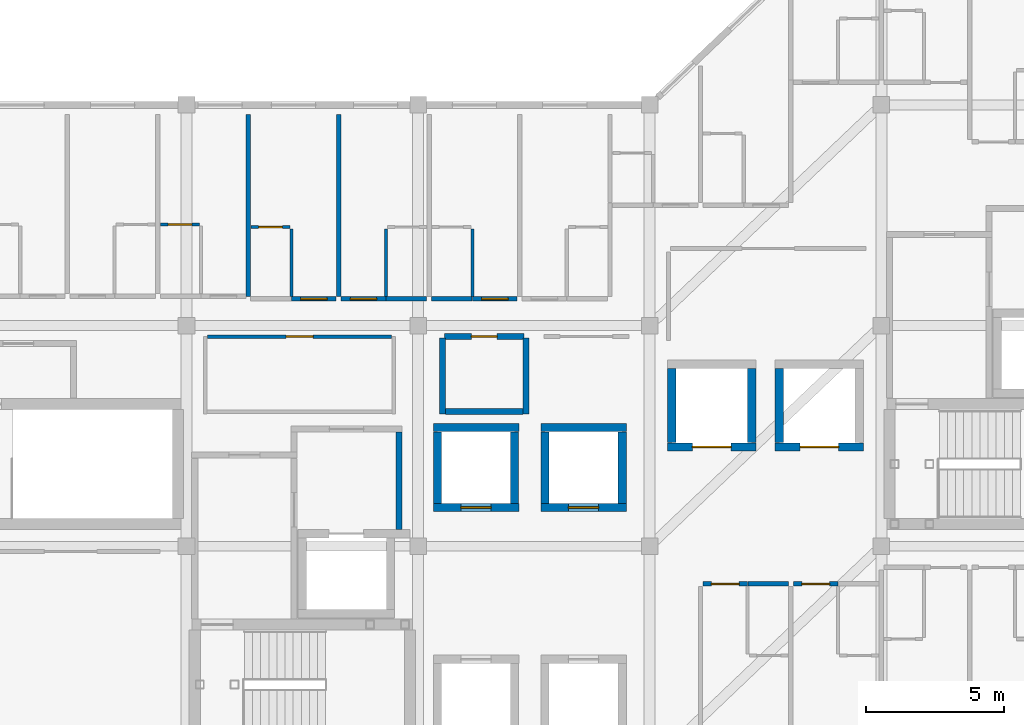
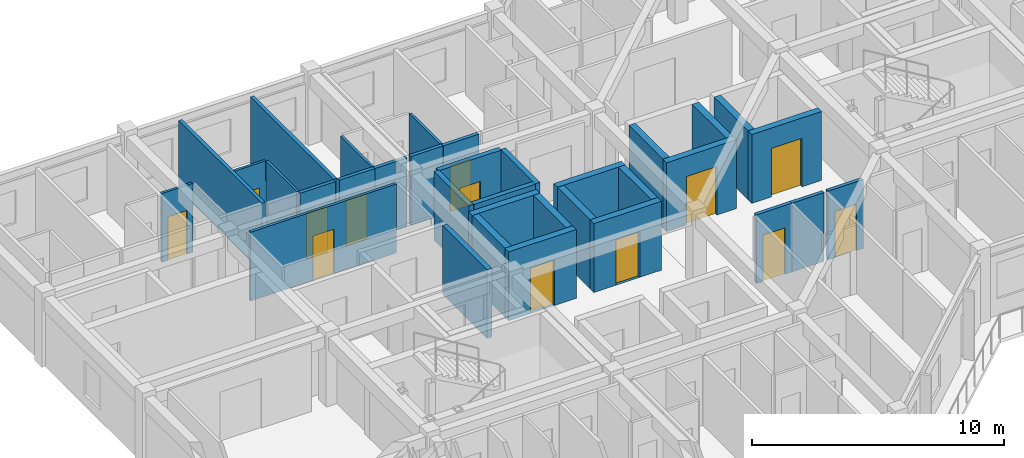
# One storey, part 7 of 14: 34 walls, 13 doors, 13 openings.
"""IFC4 building model written with IfcOpenShell, lengths in metres."""

from ifc_helpers import new_model, si_unit, direction, frame, frame_2d, origin, place, context, subcontext, project, spatial, rectangle, extrude, material, layer, layer_set, type_object, element, fill, save


model = new_model("IFC4")

# Units and contexts
model_context = context("Model", 3, precision=1e-05, world=origin(), true_north=direction((0.0, 1.0)))
body_context = subcontext(model_context, "Body", "Model", "MODEL_VIEW")
ifc_project = project(units=[si_unit("LENGTHUNIT", "METRE"), si_unit("AREAUNIT", "SQUARE_METRE"), si_unit("VOLUMEUNIT", "CUBIC_METRE"), si_unit("PLANEANGLEUNIT", "RADIAN"), si_unit("MASSUNIT", "GRAM", prefix="KILO")], contexts=[model_context])

# Site, building, storey
site_placement = place(None, origin())
site = spatial("IfcSite", under=ifc_project, at=site_placement, CompositionType="ELEMENT")
building_placement = place(site_placement, origin())
building = spatial("IfcBuilding", under=site, at=building_placement, Name="Naruveol Harbour Congress Hotel", CompositionType="ELEMENT")
storey_placement = place(building_placement, frame((0.0, 0.0, 39.60009765625)))
storey = spatial("IfcBuildingStorey", under=building, at=storey_placement, Name="L09", CompositionType="ELEMENT", Elevation=39.60009765625)

# Wall, opening, door
ifc_material_1 = material(Name="Moisture-Resistant Gypsum Partition", Category="gypsum")
ifc_layer_1 = layer(ifc_material_1, 0.114990234375)
ifc_layer_set_1 = layer_set([ifc_layer_1], Name="Moisture-Resistant Gypsum Partition")
wall_type_1 = type_object("IfcWallType", Name="BATHROOM MOISTURE PARTITION WALL 115", PredefinedType="PARTITIONING", material=ifc_layer_set_1)
wall_1_placement = place(storey_placement, frame((125.06005859375, 27.669921875, 0.0), z_axis=(0.0, 0.0, 1.0), x_axis=(1.0, 0.0, 0.0)))
wall_1 = element("IfcWall", 1, at=wall_1_placement, inside=storey, type_object=wall_type_1, Name="Bathroom north wall 1068 PW-115", PredefinedType="PARTITIONING", context=body_context, shape_type="SweptSolid", body=[
    extrude(rectangle(XDim=1.409912109375, YDim=0.114990234375, at=frame_2d((0.705078125, 0.0))), origin(), (0.0, 0.0, 1.0), 3.3349609375),
])
opening_1_placement = place(wall_1_placement, frame((0.27490234375, 0.0, 0.0)))
opening_1 = element("IfcOpeningElement", 2, at=opening_1_placement, cuts=wall_1, Name="Opening BD-RM1068", PredefinedType="OPENING", context=body_context, shape_type="SweptSolid", body=[
    extrude(rectangle(XDim=0.860107421875, YDim=2.1201171875, at=frame_2d((0.43017578125, 1.06005859375))), frame((0.0, 0.0673828125, 0.0), z_axis=(0.0, -1.0, 0.0), x_axis=(1.0, 0.0, 0.0)), (0.0, 0.0, 1.0), 0.135009765625),
])
ifc_material_2 = material(Name="Timber & Steel Acoustic Leaf", Category="steel")
door_type_1 = type_object("IfcDoorType", Name="GUEST BATHROOM DOOR 860X2120", OperationType="NOTDEFINED", PredefinedType="DOOR", material=ifc_material_2)
door_1_placement = place(opening_1_placement, origin())
door_1 = element("IfcDoor", 3, at=door_1_placement, inside=storey, type_object=door_type_1, Name="Bathroom Door 1068", OperationType="SINGLE_SWING_RIGHT", OverallHeight=2.1201171875, OverallWidth=0.860107421875, PredefinedType="DOOR", context=body_context, shape_type="SweptSolid", body=[
    extrude(rectangle(XDim=0.860107421875, YDim=2.1201171875, at=frame_2d((0.43017578125, 1.06005859375))), frame((0.0, 0.02490234375, 0.0), z_axis=(0.0, -1.0, 0.0), x_axis=(1.0, 0.0, 0.0)), (0.0, 0.0, 1.0), 0.050048828125),
])
fill(opening_1, door_1)

# Wall
wall_2_placement = place(storey_placement, frame((129.81005859375, 25.06005859375, 0.0), z_axis=(0.0, 0.0, 1.0), x_axis=(0.0, 1.0, 0.0)))
element("IfcWall", 4, at=wall_2_placement, inside=storey, type_object=wall_type_1, Name="Bathroom east wall 1069 PW-115", PredefinedType="PARTITIONING", context=body_context, shape_type="SweptSolid", body=[
    extrude(rectangle(XDim=2.449951171875, YDim=0.114990234375, at=frame_2d((1.22509765625, 0.0))), origin(), (0.0, 0.0, 1.0), 3.3349609375),
])

# Wall, opening, door
wall_3_placement = place(storey_placement, frame((128.340087890625, 27.570068359375, 0.0), z_axis=(0.0, 0.0, 1.0), x_axis=(1.0, 0.0, 0.0)))
wall_3 = element("IfcWall", 5, at=wall_3_placement, inside=storey, type_object=wall_type_1, Name="Bathroom north wall 1069 PW-115", PredefinedType="PARTITIONING", context=body_context, shape_type="SweptSolid", body=[
    extrude(rectangle(XDim=1.409912109375, YDim=0.114990234375, at=frame_2d((0.705078125, 0.0))), origin(), (0.0, 0.0, 1.0), 3.3349609375),
])
opening_2_placement = place(wall_3_placement, frame((0.27490234375, 0.0, 0.0)))
opening_2 = element("IfcOpeningElement", 6, at=opening_2_placement, cuts=wall_3, Name="Opening BD-RM1069", PredefinedType="OPENING", context=body_context, shape_type="SweptSolid", body=[
    extrude(rectangle(XDim=0.860107421875, YDim=2.1201171875, at=frame_2d((0.43017578125, 1.06005859375))), frame((0.0, 0.0673828125, 0.0), z_axis=(0.0, -1.0, 0.0), x_axis=(1.0, 0.0, 0.0)), (0.0, 0.0, 1.0), 0.135009765625),
])
door_2_placement = place(opening_2_placement, origin())
door_2 = element("IfcDoor", 7, at=door_2_placement, inside=storey, type_object=door_type_1, Name="Bathroom Door 1069", OperationType="SINGLE_SWING_RIGHT", OverallHeight=2.1201171875, OverallWidth=0.860107421875, PredefinedType="DOOR", context=body_context, shape_type="SweptSolid", body=[
    extrude(rectangle(XDim=0.860107421875, YDim=2.1201171875, at=frame_2d((0.43017578125, 1.06005859375))), frame((0.0, 0.02490234375, 0.0), z_axis=(0.0, -1.0, 0.0), x_axis=(1.0, 0.0, 0.0)), (0.0, 0.0, 1.0), 0.050048828125),
])
fill(opening_2, door_2)

# Walls
for number, where, z_axis, x_axis, name in (
    (8, (133.22998046875, 25.06005859375, 0.0), (0.0, 0.0, 1.0), (0.0, 1.0, 0.0), "Bathroom west wall 1070 PW-115"),
    (9, (136.3701171875, 25.06005859375, 0.0), (0.0, 0.0, 1.0), (0.0, 1.0, 0.0), "Bathroom east wall 1071 PW-115"),
):
    element("IfcWall", number, at=place(storey_placement, frame(where, z_axis=z_axis, x_axis=x_axis)), inside=storey, type_object=wall_type_1, Name=name, PredefinedType="PARTITIONING", context=body_context, shape_type="SweptSolid", body=[
        extrude(rectangle(XDim=2.449951171875, YDim=0.114990234375, at=frame_2d((1.22509765625, 0.0))), origin(), (0.0, 0.0, 1.0), 3.3349609375),
    ])
ifc_material_3 = material(Name="Concrete C40/50", Category="concrete")
ifc_layer_2 = layer(ifc_material_3, 0.219970703125)
ifc_layer_set_2 = layer_set([ifc_layer_2], Name="Concrete C40/50")
wall_type_2 = type_object("IfcWallType", Name="FIRE COMPARTMENT AND LOBBY WALL 220 EI120", PredefinedType="PARTITIONING", material=ifc_layer_set_2)
wall_4_placement = place(storey_placement, frame((133.699951171875, 16.60498046875, 0.0), z_axis=(0.0, 0.0, 1.0), x_axis=(0.0, 1.0, 0.0)))
element("IfcWall", 10, at=wall_4_placement, inside=storey, type_object=wall_type_2, Name="Firefighting lift lobby ST1 east wall FW-220", PredefinedType="PARTITIONING", context=body_context, shape_type="SweptSolid", body=[
    extrude(rectangle(XDim=3.530029296875, YDim=0.219970703125, at=frame_2d((1.76513671875, 0.0))), origin(), (0.0, 0.0, 1.0), 3.3349609375),
])

# Wall, opening, door
wall_5_placement = place(storey_placement, frame((135.360107421875, 23.60009765625, 0.0), z_axis=(0.0, 0.0, 1.0), x_axis=(1.0, 0.0, 0.0)))
wall_5 = element("IfcWall", 11, at=wall_5_placement, inside=storey, type_object=wall_type_2, Name="Housekeeping Pantry north entry wall FW-220", PredefinedType="PARTITIONING", context=body_context, shape_type="SweptSolid", body=[
    extrude(rectangle(XDim=2.8798828125, YDim=0.219970703125, at=frame_2d((1.43994140625, 0.0))), origin(), (0.0, 0.0, 1.0), 3.3349609375),
])
opening_3_placement = place(wall_5_placement, frame((0.969970703125, 0.0, 0.0)))
opening_3 = element("IfcOpeningElement", 12, at=opening_3_placement, cuts=wall_5, Name="Opening FD-ST-130", PredefinedType="OPENING", context=body_context, shape_type="SweptSolid", body=[
    extrude(rectangle(XDim=0.93994140625, YDim=2.14990234375, at=frame_2d((0.469970703125, 1.074951171875))), frame((0.0, 0.119873046875, 0.0), z_axis=(0.0, -1.0, 0.0), x_axis=(1.0, 0.0, 0.0)), (0.0, 0.0, 1.0), 0.239990234375),
])
ifc_material_4 = material(Name="Timber & Steel Acoustic Leaf", Category="steel")
door_type_2 = type_object("IfcDoorType", Name="HOUSEKEEPING AND STORE FIRE DOOR 940X2150", OperationType="NOTDEFINED", PredefinedType="DOOR", material=ifc_material_4)
door_3_placement = place(opening_3_placement, origin())
door_3 = element("IfcDoor", 13, at=door_3_placement, inside=storey, type_object=door_type_2, Name="Housekeeping Pantry Fire Door", OperationType="SINGLE_SWING_RIGHT", OverallHeight=2.14990234375, OverallWidth=0.93994140625, PredefinedType="DOOR", context=body_context, shape_type="SweptSolid", body=[
    extrude(rectangle(XDim=0.93994140625, YDim=2.14990234375, at=frame_2d((0.469970703125, 1.074951171875))), frame((0.0, 0.02490234375, 0.0), z_axis=(0.0, -1.0, 0.0), x_axis=(1.0, 0.0, 0.0)), (0.0, 0.0, 1.0), 0.050048828125),
])
fill(opening_3, door_3)

# Walls
for number, where, z_axis, x_axis, name in (
    (14, (135.280029296875, 20.800048828125, 0.0), (0.0, 0.0, 1.0), (0.0, 1.0, 0.0), "Housekeeping Pantry west enclosure partition FW-220"),
    (15, (138.320068359375, 20.800048828125, 0.0), (0.0, 0.0, 1.0), (0.0, 1.0, 0.0), "Housekeeping Pantry east enclosure partition FW-220"),
):
    element("IfcWall", number, at=place(storey_placement, frame(where, z_axis=z_axis, x_axis=x_axis)), inside=storey, type_object=wall_type_2, Name=name, PredefinedType="PARTITIONING", context=body_context, shape_type="SweptSolid", body=[
        extrude(rectangle(XDim=2.748046875, YDim=0.219970703125, at=frame_2d((1.3740234375, 0.0))), origin(), (0.0, 0.0, 1.0), 3.3349609375),
    ])
wall_6_placement = place(storey_placement, frame((135.389892578125, 20.8798828125, 0.0), z_axis=(0.0, 0.0, 1.0), x_axis=(1.0, 0.0, 0.0)))
element("IfcWall", 16, at=wall_6_placement, inside=storey, type_object=wall_type_2, Name="Housekeeping Pantry south enclosure partition FW-220", PredefinedType="PARTITIONING", context=body_context, shape_type="SweptSolid", body=[
    extrude(rectangle(XDim=2.820068359375, YDim=0.219970703125, at=frame_2d((1.41015625, 0.0))), origin(), (0.0, 0.0, 1.0), 3.3349609375),
])

# Wall, opening, door
ifc_material_5 = material(Name="Autoclaved Aerated Concrete Block", Category="concrete")
ifc_layer_3 = layer(ifc_material_5, 0.159912109375)
ifc_layer_set_3 = layer_set([ifc_layer_3], Name="Autoclaved Aerated Concrete Block")
wall_type_3 = type_object("IfcWallType", Name="HOTEL PARTY AND CORRIDOR WALL 160 EI60", PredefinedType="PARTITIONING", material=ifc_layer_set_3)
wall_7_placement = place(storey_placement, frame((129.81005859375, 24.969970703125, 0.0), z_axis=(0.0, 0.0, 1.0), x_axis=(1.0, 0.0, 0.0)))
wall_7 = element("IfcWall", 17, at=wall_7_placement, inside=storey, type_object=wall_type_3, Name="Corridor entry wall 1069 PW-160", PredefinedType="PARTITIONING", context=body_context, shape_type="SweptSolid", body=[
    extrude(rectangle(XDim=1.619873046875, YDim=0.159912109375, at=frame_2d((0.81005859375, 0.0))), origin(), (0.0, 0.0, 1.0), 3.3349609375),
])
opening_4_placement = place(wall_7_placement, frame((0.330078125, 0.0, 0.0)))
opening_4 = element("IfcOpeningElement", 18, at=opening_4_placement, cuts=wall_7, Name="Opening FD-RM1069", PredefinedType="OPENING", context=body_context, shape_type="SweptSolid", body=[
    extrude(rectangle(XDim=0.9599609375, YDim=2.199951171875, at=frame_2d((0.47998046875, 1.10009765625))), frame((0.0, 0.08984375, 0.0), z_axis=(0.0, -1.0, 0.0), x_axis=(1.0, 0.0, 0.0)), (0.0, 0.0, 1.0), 0.179931640625),
])
ifc_material_6 = material(Name="Timber & Steel Acoustic Leaf", Category="steel")
door_type_3 = type_object("IfcDoorType", Name="GUEST ROOM ENTRANCE FIRE DOOR 960X2200", OperationType="NOTDEFINED", PredefinedType="DOOR", material=ifc_material_6)
door_4_placement = place(opening_4_placement, origin())
door_4 = element("IfcDoor", 19, at=door_4_placement, inside=storey, type_object=door_type_3, Name="Hotel Room Door 1069", OperationType="SINGLE_SWING_LEFT", OverallHeight=2.199951171875, OverallWidth=0.9599609375, PredefinedType="DOOR", context=body_context, shape_type="SweptSolid", body=[
    extrude(rectangle(XDim=0.9599609375, YDim=2.199951171875, at=frame_2d((0.47998046875, 1.10009765625))), frame((0.0, 0.02490234375, 0.0), z_axis=(0.0, -1.0, 0.0), x_axis=(1.0, 0.0, 0.0)), (0.0, 0.0, 1.0), 0.050048828125),
])
fill(opening_4, door_4)

# Wall
wall_8_placement = place(storey_placement, frame((128.239990234375, 25.06005859375, 0.0), z_axis=(0.0, 0.0, 1.0), x_axis=(0.0, 1.0, 0.0)))
element("IfcWall", 20, at=wall_8_placement, inside=storey, type_object=wall_type_3, Name="Hotel party wall 1069 PW-160", PredefinedType="PARTITIONING", context=body_context, shape_type="SweptSolid", body=[
    extrude(rectangle(XDim=6.599853515625, YDim=0.159912109375, at=frame_2d((3.2998046875, 0.0))), origin(), (0.0, 0.0, 1.0), 3.3349609375),
])

# Wall, opening, door
wall_9_placement = place(storey_placement, frame((131.610107421875, 24.969970703125, 0.0), z_axis=(0.0, 0.0, 1.0), x_axis=(1.0, 0.0, 0.0)))
wall_9 = element("IfcWall", 21, at=wall_9_placement, inside=storey, type_object=wall_type_3, Name="Corridor entry wall 1070 PW-160", PredefinedType="PARTITIONING", context=body_context, shape_type="SweptSolid", body=[
    extrude(rectangle(XDim=1.619873046875, YDim=0.159912109375, at=frame_2d((0.81005859375, 0.0))), origin(), (0.0, 0.0, 1.0), 3.3349609375),
])
opening_5_placement = place(wall_9_placement, frame((0.330078125, 0.0, 0.0)))
opening_5 = element("IfcOpeningElement", 22, at=opening_5_placement, cuts=wall_9, Name="Opening FD-RM1070", PredefinedType="OPENING", context=body_context, shape_type="SweptSolid", body=[
    extrude(rectangle(XDim=0.9599609375, YDim=2.199951171875, at=frame_2d((0.47998046875, 1.10009765625))), frame((0.0, 0.08984375, 0.0), z_axis=(0.0, -1.0, 0.0), x_axis=(1.0, 0.0, 0.0)), (0.0, 0.0, 1.0), 0.179931640625),
])
door_5_placement = place(opening_5_placement, origin())
door_5 = element("IfcDoor", 23, at=door_5_placement, inside=storey, type_object=door_type_3, Name="Hotel Room Door 1070", OperationType="SINGLE_SWING_LEFT", OverallHeight=2.199951171875, OverallWidth=0.9599609375, PredefinedType="DOOR", context=body_context, shape_type="SweptSolid", body=[
    extrude(rectangle(XDim=0.9599609375, YDim=2.199951171875, at=frame_2d((0.47998046875, 1.10009765625))), frame((0.0, 0.02490234375, 0.0), z_axis=(0.0, -1.0, 0.0), x_axis=(1.0, 0.0, 0.0)), (0.0, 0.0, 1.0), 0.050048828125),
])
fill(opening_5, door_5)

# Walls
wall_10_placement = place(storey_placement, frame((133.239990234375, 24.969970703125, 0.0), z_axis=(0.0, 0.0, 1.0), x_axis=(1.0, 0.0, 0.0)))
element("IfcWall", 24, at=wall_10_placement, inside=storey, type_object=wall_type_3, Name="Corridor wall 1070B PW-160", PredefinedType="PARTITIONING", context=body_context, shape_type="SweptSolid", body=[
    extrude(rectangle(XDim=1.469970703125, YDim=0.159912109375, at=frame_2d((0.73486328125, 0.0))), origin(), (0.0, 0.0, 1.0), 3.3349609375),
])
wall_11_placement = place(storey_placement, frame((131.52001953125, 25.06005859375, 0.0), z_axis=(0.0, 0.0, 1.0), x_axis=(0.0, 1.0, 0.0)))
element("IfcWall", 25, at=wall_11_placement, inside=storey, type_object=wall_type_3, Name="Hotel party wall 1070 PW-160", PredefinedType="PARTITIONING", context=body_context, shape_type="SweptSolid", body=[
    extrude(rectangle(XDim=6.599853515625, YDim=0.159912109375, at=frame_2d((3.2998046875, 0.0))), origin(), (0.0, 0.0, 1.0), 3.3349609375),
])
wall_12_placement = place(storey_placement, frame((134.889892578125, 24.969970703125, 0.0), z_axis=(0.0, 0.0, 1.0), x_axis=(1.0, 0.0, 0.0)))
element("IfcWall", 26, at=wall_12_placement, inside=storey, type_object=wall_type_3, Name="Corridor wall 1071B PW-160", PredefinedType="PARTITIONING", context=body_context, shape_type="SweptSolid", body=[
    extrude(rectangle(XDim=1.47021484375, YDim=0.159912109375, at=frame_2d((0.735107421875, 0.0))), origin(), (0.0, 0.0, 1.0), 3.3349609375),
])

# Wall, opening, door
wall_13_placement = place(storey_placement, frame((136.3701171875, 24.969970703125, 0.0), z_axis=(0.0, 0.0, 1.0), x_axis=(1.0, 0.0, 0.0)))
wall_13 = element("IfcWall", 27, at=wall_13_placement, inside=storey, type_object=wall_type_3, Name="Corridor entry wall 1071 PW-160", PredefinedType="PARTITIONING", context=body_context, shape_type="SweptSolid", body=[
    extrude(rectangle(XDim=1.619873046875, YDim=0.159912109375, at=frame_2d((0.81005859375, 0.0))), origin(), (0.0, 0.0, 1.0), 3.3349609375),
])
opening_6_placement = place(wall_13_placement, frame((0.330078125, 0.0, 0.0)))
opening_6 = element("IfcOpeningElement", 28, at=opening_6_placement, cuts=wall_13, Name="Opening FD-RM1071", PredefinedType="OPENING", context=body_context, shape_type="SweptSolid", body=[
    extrude(rectangle(XDim=0.9599609375, YDim=2.199951171875, at=frame_2d((0.47998046875, 1.10009765625))), frame((0.0, 0.08984375, 0.0), z_axis=(0.0, -1.0, 0.0), x_axis=(1.0, 0.0, 0.0)), (0.0, 0.0, 1.0), 0.179931640625),
])
door_6_placement = place(opening_6_placement, origin())
door_6 = element("IfcDoor", 29, at=door_6_placement, inside=storey, type_object=door_type_3, Name="Hotel Room Door 1071", OperationType="SINGLE_SWING_LEFT", OverallHeight=2.199951171875, OverallWidth=0.9599609375, PredefinedType="DOOR", context=body_context, shape_type="SweptSolid", body=[
    extrude(rectangle(XDim=0.9599609375, YDim=2.199951171875, at=frame_2d((0.47998046875, 1.10009765625))), frame((0.0, 0.02490234375, 0.0), z_axis=(0.0, -1.0, 0.0), x_axis=(1.0, 0.0, 0.0)), (0.0, 0.0, 1.0), 0.050048828125),
])
fill(opening_6, door_6)

wall_14_placement = place(storey_placement, frame((144.72998046875, 14.6298828125, 0.0), z_axis=(0.0, 0.0, 1.0), x_axis=(1.0, 0.0, 0.0)))
wall_14 = element("IfcWall", 30, at=wall_14_placement, inside=storey, type_object=wall_type_3, Name="Corridor entry wall 1059 PW-160", PredefinedType="PARTITIONING", context=body_context, shape_type="SweptSolid", body=[
    extrude(rectangle(XDim=1.6201171875, YDim=0.159912109375, at=frame_2d((0.81005859375, 0.0))), origin(), (0.0, 0.0, 1.0), 3.3349609375),
])
opening_7_placement = place(wall_14_placement, frame((0.31005859375, 0.0, 0.0)))
opening_7 = element("IfcOpeningElement", 31, at=opening_7_placement, cuts=wall_14, Name="Opening FD-RM1059", PredefinedType="OPENING", context=body_context, shape_type="SweptSolid", body=[
    extrude(rectangle(XDim=1.0, YDim=2.25, at=frame_2d((0.5, 1.125))), frame((0.0, 0.08984375, 0.0), z_axis=(0.0, -1.0, 0.0), x_axis=(1.0, 0.0, 0.0)), (0.0, 0.0, 1.0), 0.179931640625),
])
ifc_material_7 = material(Name="Timber & Steel Acoustic Leaf", Category="steel")
door_type_4 = type_object("IfcDoorType", Name="DELUXE GUEST ENTRANCE FIRE DOOR 1000X2250", OperationType="NOTDEFINED", PredefinedType="DOOR", material=ifc_material_7)
door_7_placement = place(opening_7_placement, origin())
door_7 = element("IfcDoor", 32, at=door_7_placement, inside=storey, type_object=door_type_4, Name="Hotel Room Door 1059", OperationType="SINGLE_SWING_LEFT", OverallHeight=2.25, OverallWidth=1.0, PredefinedType="DOOR", context=body_context, shape_type="SweptSolid", body=[
    extrude(rectangle(XDim=1.0, YDim=2.25, at=frame_2d((0.5, 1.125))), frame((0.0, 0.02490234375, 0.0), z_axis=(0.0, -1.0, 0.0), x_axis=(1.0, 0.0, 0.0)), (0.0, 0.0, 1.0), 0.050048828125),
])
fill(opening_7, door_7)

# Wall
wall_15_placement = place(storey_placement, frame((146.360107421875, 14.6298828125, 0.0), z_axis=(0.0, 0.0, 1.0), x_axis=(1.0, 0.0, 0.0)))
element("IfcWall", 33, at=wall_15_placement, inside=storey, type_object=wall_type_3, Name="Corridor wall 1059B PW-160", PredefinedType="PARTITIONING", context=body_context, shape_type="SweptSolid", body=[
    extrude(rectangle(XDim=1.469970703125, YDim=0.159912109375, at=frame_2d((0.73486328125, 0.0))), origin(), (0.0, 0.0, 1.0), 3.3349609375),
])

# Wall, opening, door
wall_16_placement = place(storey_placement, frame((148.010009765625, 14.6298828125, 0.0), z_axis=(0.0, 0.0, 1.0), x_axis=(1.0, 0.0, 0.0)))
wall_16 = element("IfcWall", 34, at=wall_16_placement, inside=storey, type_object=wall_type_3, Name="Corridor entry wall 1060 PW-160", PredefinedType="PARTITIONING", context=body_context, shape_type="SweptSolid", body=[
    extrude(rectangle(XDim=1.619873046875, YDim=0.159912109375, at=frame_2d((0.81005859375, 0.0))), origin(), (0.0, 0.0, 1.0), 3.3349609375),
])
opening_8_placement = place(wall_16_placement, frame((0.31005859375, 0.0, 0.0)))
opening_8 = element("IfcOpeningElement", 35, at=opening_8_placement, cuts=wall_16, Name="Opening FD-RM1060", PredefinedType="OPENING", context=body_context, shape_type="SweptSolid", body=[
    extrude(rectangle(XDim=1.0, YDim=2.25, at=frame_2d((0.5, 1.125))), frame((0.0, 0.08984375, 0.0), z_axis=(0.0, -1.0, 0.0), x_axis=(1.0, 0.0, 0.0)), (0.0, 0.0, 1.0), 0.179931640625),
])
door_8_placement = place(opening_8_placement, origin())
door_8 = element("IfcDoor", 36, at=door_8_placement, inside=storey, type_object=door_type_4, Name="Hotel Room Door 1060", OperationType="SINGLE_SWING_LEFT", OverallHeight=2.25, OverallWidth=1.0, PredefinedType="DOOR", context=body_context, shape_type="SweptSolid", body=[
    extrude(rectangle(XDim=1.0, YDim=2.25, at=frame_2d((0.5, 1.125))), frame((0.0, 0.02490234375, 0.0), z_axis=(0.0, -1.0, 0.0), x_axis=(1.0, 0.0, 0.0)), (0.0, 0.0, 1.0), 0.050048828125),
])
fill(opening_8, door_8)

ifc_material_8 = material(Name="Concrete C50/60", Category="concrete")
ifc_layer_4 = layer(ifc_material_8, 0.300048828125)
ifc_layer_set_4 = layer_set([ifc_layer_4], Name="Concrete C50/60")
wall_type_4 = type_object("IfcWallType", Name="RC STAIR AND HOISTWAY SHEAR WALL 300 EI120", PredefinedType="SHEAR", material=ifc_layer_set_4)
wall_17_placement = place(storey_placement, frame((134.949951171875, 17.39990234375, 0.0), z_axis=(0.0, 0.0, 1.0), x_axis=(1.0, 0.0, 0.0)))
wall_17 = element("IfcWall", 37, at=wall_17_placement, inside=storey, type_object=wall_type_4, Name="Hoistway south shear wall PL1 SW-300", PredefinedType="SHEAR", context=body_context, shape_type="SweptSolid", body=[
    extrude(rectangle(XDim=3.10009765625, YDim=0.300048828125, at=frame_2d((1.550048828125, 0.0))), origin(), (0.0, 0.0, 1.0), 3.3349609375),
])
opening_9_placement = place(wall_17_placement, frame((1.0, 0.0, 0.0)))
opening_9 = element("IfcOpeningElement", 38, at=opening_9_placement, cuts=wall_17, Name="Opening LD-PL1-L09", PredefinedType="OPENING", context=body_context, shape_type="SweptSolid", body=[
    extrude(rectangle(XDim=1.10009765625, YDim=2.199951171875, at=frame_2d((0.550048828125, 1.10009765625))), frame((0.0, 0.159912109375, 0.0), z_axis=(0.0, -1.0, 0.0), x_axis=(1.0, 0.0, 0.0)), (0.0, 0.0, 1.0), 0.320068359375),
])
ifc_material_9 = material(Name="Stainless Steel Lift Door", Category="steel")
door_type_5 = type_object("IfcDoorType", Name="PASSENGER LIFT LANDING DOOR 1100X2200", OperationType="DOUBLE_DOOR_SLIDING", PredefinedType="DOOR", material=ifc_material_9)
door_9_placement = place(opening_9_placement, origin())
door_9 = element("IfcDoor", 39, at=door_9_placement, inside=storey, type_object=door_type_5, Name="Elevator Landing Door PL1 L09", OperationType="DOUBLE_DOOR_SLIDING", OverallHeight=2.199951171875, OverallWidth=1.10009765625, PredefinedType="DOOR", context=body_context, shape_type="SweptSolid", body=[
    extrude(rectangle(XDim=1.10009765625, YDim=2.199951171875, at=frame_2d((0.550048828125, 1.10009765625))), frame((0.0, 0.02490234375, 0.0), z_axis=(0.0, -1.0, 0.0), x_axis=(1.0, 0.0, 0.0)), (0.0, 0.0, 1.0), 0.050048828125),
])
fill(opening_9, door_9)

# Walls
wall_18_placement = place(storey_placement, frame((137.89990234375, 17.554931640625, 0.0), z_axis=(0.0, 0.0, 1.0), x_axis=(0.0, 1.0, 0.0)))
element("IfcWall", 40, at=wall_18_placement, inside=storey, type_object=wall_type_4, Name="Hoistway east shear wall PL1 SW-300", PredefinedType="SHEAR", context=body_context, shape_type="SweptSolid", body=[
    extrude(rectangle(XDim=2.590087890625, YDim=0.300048828125, at=frame_2d((1.294921875, 0.0))), origin(), (0.0, 0.0, 1.0), 3.3349609375),
])
wall_19_placement = place(storey_placement, frame((138.050048828125, 20.300048828125, 0.0), z_axis=(0.0, 0.0, 1.0), x_axis=(-1.0, 0.0, 0.0)))
element("IfcWall", 41, at=wall_19_placement, inside=storey, type_object=wall_type_4, Name="Hoistway north shear wall PL1 SW-300", PredefinedType="SHEAR", context=body_context, shape_type="SweptSolid", body=[
    extrude(rectangle(XDim=3.10009765625, YDim=0.300048828125, at=frame_2d((1.550048828125, 0.0))), origin(), (0.0, 0.0, 1.0), 3.3349609375),
])
wall_20_placement = place(storey_placement, frame((135.10009765625, 20.14501953125, 0.0), z_axis=(0.0, 0.0, 1.0), x_axis=(0.0, -1.0, 0.0)))
element("IfcWall", 42, at=wall_20_placement, inside=storey, type_object=wall_type_4, Name="Hoistway west shear wall PL1 SW-300", PredefinedType="SHEAR", context=body_context, shape_type="SweptSolid", body=[
    extrude(rectangle(XDim=2.590087890625, YDim=0.300048828125, at=frame_2d((1.294921875, 0.0))), origin(), (0.0, 0.0, 1.0), 3.3349609375),
])

# Wall, opening, door
wall_21_placement = place(storey_placement, frame((138.85009765625, 17.39990234375, 0.0), z_axis=(0.0, 0.0, 1.0), x_axis=(1.0, 0.0, 0.0)))
wall_21 = element("IfcWall", 43, at=wall_21_placement, inside=storey, type_object=wall_type_4, Name="Hoistway south shear wall PL2 SW-300", PredefinedType="SHEAR", context=body_context, shape_type="SweptSolid", body=[
    extrude(rectangle(XDim=3.099853515625, YDim=0.300048828125, at=frame_2d((1.5498046875, 0.0))), origin(), (0.0, 0.0, 1.0), 3.3349609375),
])
opening_10_placement = place(wall_21_placement, frame((1.0, 0.0, 0.0)))
opening_10 = element("IfcOpeningElement", 44, at=opening_10_placement, cuts=wall_21, Name="Opening LD-PL2-L09", PredefinedType="OPENING", context=body_context, shape_type="SweptSolid", body=[
    extrude(rectangle(XDim=1.10009765625, YDim=2.199951171875, at=frame_2d((0.550048828125, 1.10009765625))), frame((0.0, 0.159912109375, 0.0), z_axis=(0.0, -1.0, 0.0), x_axis=(1.0, 0.0, 0.0)), (0.0, 0.0, 1.0), 0.320068359375),
])
door_10_placement = place(opening_10_placement, origin())
door_10 = element("IfcDoor", 45, at=door_10_placement, inside=storey, type_object=door_type_5, Name="Elevator Landing Door PL2 L09", OperationType="DOUBLE_DOOR_SLIDING", OverallHeight=2.199951171875, OverallWidth=1.10009765625, PredefinedType="DOOR", context=body_context, shape_type="SweptSolid", body=[
    extrude(rectangle(XDim=1.10009765625, YDim=2.199951171875, at=frame_2d((0.550048828125, 1.10009765625))), frame((0.0, 0.02490234375, 0.0), z_axis=(0.0, -1.0, 0.0), x_axis=(1.0, 0.0, 0.0)), (0.0, 0.0, 1.0), 0.050048828125),
])
fill(opening_10, door_10)

# Walls
wall_22_placement = place(storey_placement, frame((141.800048828125, 17.554931640625, 0.0), z_axis=(0.0, 0.0, 1.0), x_axis=(0.0, 1.0, 0.0)))
element("IfcWall", 46, at=wall_22_placement, inside=storey, type_object=wall_type_4, Name="Hoistway east shear wall PL2 SW-300", PredefinedType="SHEAR", context=body_context, shape_type="SweptSolid", body=[
    extrude(rectangle(XDim=2.590087890625, YDim=0.300048828125, at=frame_2d((1.294921875, 0.0))), origin(), (0.0, 0.0, 1.0), 3.3349609375),
])
wall_23_placement = place(storey_placement, frame((141.949951171875, 20.300048828125, 0.0), z_axis=(0.0, 0.0, 1.0), x_axis=(-1.0, 0.0, 0.0)))
element("IfcWall", 47, at=wall_23_placement, inside=storey, type_object=wall_type_4, Name="Hoistway north shear wall PL2 SW-300", PredefinedType="SHEAR", context=body_context, shape_type="SweptSolid", body=[
    extrude(rectangle(XDim=3.099853515625, YDim=0.300048828125, at=frame_2d((1.5498046875, 0.0))), origin(), (0.0, 0.0, 1.0), 3.3349609375),
])
wall_24_placement = place(storey_placement, frame((139.0, 20.14501953125, 0.0), z_axis=(0.0, 0.0, 1.0), x_axis=(0.0, -1.0, 0.0)))
element("IfcWall", 48, at=wall_24_placement, inside=storey, type_object=wall_type_4, Name="Hoistway west shear wall PL2 SW-300", PredefinedType="SHEAR", context=body_context, shape_type="SweptSolid", body=[
    extrude(rectangle(XDim=2.590087890625, YDim=0.300048828125, at=frame_2d((1.294921875, 0.0))), origin(), (0.0, 0.0, 1.0), 3.3349609375),
])

# Wall, opening, door
wall_25_placement = place(storey_placement, frame((143.449951171875, 19.60009765625, 0.0), z_axis=(0.0, 0.0, 1.0), x_axis=(1.0, 0.0, 0.0)))
wall_25 = element("IfcWall", 49, at=wall_25_placement, inside=storey, type_object=wall_type_4, Name="Hoistway south shear wall GL1 SW-300", PredefinedType="SHEAR", context=body_context, shape_type="SweptSolid", body=[
    extrude(rectangle(XDim=3.199951171875, YDim=0.300048828125, at=frame_2d((1.60009765625, 0.0))), origin(), (0.0, 0.0, 1.0), 3.3349609375),
])
opening_11_placement = place(wall_25_placement, frame((0.89990234375, 0.0, 0.0)))
opening_11 = element("IfcOpeningElement", 50, at=opening_11_placement, cuts=wall_25, Name="Opening LD-GL1-L09", PredefinedType="OPENING", context=body_context, shape_type="SweptSolid", body=[
    extrude(rectangle(XDim=1.39990234375, YDim=2.35009765625, at=frame_2d((0.699951171875, 1.175048828125))), frame((0.0, 0.159912109375, 0.0), z_axis=(0.0, -1.0, 0.0), x_axis=(1.0, 0.0, 0.0)), (0.0, 0.0, 1.0), 0.320068359375),
])
ifc_material_10 = material(Name="Stainless Steel Lift Door", Category="steel")
door_type_6 = type_object("IfcDoorType", Name="GOODS LIFT LANDING DOOR 1400X2350", OperationType="DOUBLE_DOOR_SLIDING", PredefinedType="DOOR", material=ifc_material_10)
door_11_placement = place(opening_11_placement, origin())
door_11 = element("IfcDoor", 51, at=door_11_placement, inside=storey, type_object=door_type_6, Name="Elevator Landing Door GL1 L09", OperationType="DOUBLE_DOOR_SLIDING", OverallHeight=2.35009765625, OverallWidth=1.39990234375, PredefinedType="DOOR", context=body_context, shape_type="SweptSolid", body=[
    extrude(rectangle(XDim=1.39990234375, YDim=2.35009765625, at=frame_2d((0.699951171875, 1.175048828125))), frame((0.0, 0.02490234375, 0.0), z_axis=(0.0, -1.0, 0.0), x_axis=(1.0, 0.0, 0.0)), (0.0, 0.0, 1.0), 0.050048828125),
])
fill(opening_11, door_11)

# Walls
for number, where, z_axis, x_axis, name in (
    (52, (146.5, 19.7548828125, 0.0), (0.0, 0.0, 1.0), (0.0, 1.0, 0.0), "Hoistway east shear wall GL1 SW-300"),
    (53, (143.60009765625, 22.445068359375, 0.0), (0.0, 0.0, 1.0), (0.0, -1.0, 0.0), "Hoistway west shear wall GL1 SW-300"),
):
    element("IfcWall", number, at=place(storey_placement, frame(where, z_axis=z_axis, x_axis=x_axis)), inside=storey, type_object=wall_type_4, Name=name, PredefinedType="SHEAR", context=body_context, shape_type="SweptSolid", body=[
        extrude(rectangle(XDim=2.690185546875, YDim=0.300048828125, at=frame_2d((1.34521484375, 0.0))), origin(), (0.0, 0.0, 1.0), 3.3349609375),
    ])

# Wall, opening, door
wall_26_placement = place(storey_placement, frame((147.35009765625, 19.60009765625, 0.0), z_axis=(0.0, 0.0, 1.0), x_axis=(1.0, 0.0, 0.0)))
wall_26 = element("IfcWall", 54, at=wall_26_placement, inside=storey, type_object=wall_type_4, Name="Hoistway south shear wall GL2 SW-300", PredefinedType="SHEAR", context=body_context, shape_type="SweptSolid", body=[
    extrude(rectangle(XDim=3.199951171875, YDim=0.300048828125, at=frame_2d((1.60009765625, 0.0))), origin(), (0.0, 0.0, 1.0), 3.3349609375),
])
opening_12_placement = place(wall_26_placement, frame((0.89990234375, 0.0, 0.0)))
opening_12 = element("IfcOpeningElement", 55, at=opening_12_placement, cuts=wall_26, Name="Opening LD-GL2-L09", PredefinedType="OPENING", context=body_context, shape_type="SweptSolid", body=[
    extrude(rectangle(XDim=1.39990234375, YDim=2.35009765625, at=frame_2d((0.699951171875, 1.175048828125))), frame((0.0, 0.159912109375, 0.0), z_axis=(0.0, -1.0, 0.0), x_axis=(1.0, 0.0, 0.0)), (0.0, 0.0, 1.0), 0.320068359375),
])
door_12_placement = place(opening_12_placement, origin())
door_12 = element("IfcDoor", 56, at=door_12_placement, inside=storey, type_object=door_type_6, Name="Elevator Landing Door GL2 L09", OperationType="DOUBLE_DOOR_SLIDING", OverallHeight=2.35009765625, OverallWidth=1.39990234375, PredefinedType="DOOR", context=body_context, shape_type="SweptSolid", body=[
    extrude(rectangle(XDim=1.39990234375, YDim=2.35009765625, at=frame_2d((0.699951171875, 1.175048828125))), frame((0.0, 0.02490234375, 0.0), z_axis=(0.0, -1.0, 0.0), x_axis=(1.0, 0.0, 0.0)), (0.0, 0.0, 1.0), 0.050048828125),
])
fill(opening_12, door_12)

# Wall
wall_27_placement = place(storey_placement, frame((147.5, 22.445068359375, 0.0), z_axis=(0.0, 0.0, 1.0), x_axis=(0.0, -1.0, 0.0)))
element("IfcWall", 57, at=wall_27_placement, inside=storey, type_object=wall_type_4, Name="Hoistway west shear wall GL2 SW-300", PredefinedType="SHEAR", context=body_context, shape_type="SweptSolid", body=[
    extrude(rectangle(XDim=2.690185546875, YDim=0.300048828125, at=frame_2d((1.34521484375, 0.0))), origin(), (0.0, 0.0, 1.0), 3.3349609375),
])

# Wall, opening, door
ifc_material_11 = material(Name="Acoustic Double Stud Gypsum", Category="gypsum")
ifc_layer_5 = layer(ifc_material_11, 0.125)
ifc_layer_set_5 = layer_set([ifc_layer_5], Name="Acoustic Double Stud Gypsum")
wall_type_5 = type_object("IfcWallType", Name="SERVICE CHASE PARTITION WALL 125", PredefinedType="PARTITIONING", material=ifc_layer_set_5)
wall_28_placement = place(storey_placement, frame((126.760009765625, 23.60009765625, 0.0), z_axis=(0.0, 0.0, 1.0), x_axis=(1.0, 0.0, 0.0)))
wall_28 = element("IfcWall", 58, at=wall_28_placement, inside=storey, type_object=wall_type_5, Name="Accessible Restroom north entry wall PW-125", PredefinedType="PARTITIONING", context=body_context, shape_type="SweptSolid", body=[
    extrude(rectangle(XDim=6.679931640625, YDim=0.125, at=frame_2d((3.33984375, 0.0))), origin(), (0.0, 0.0, 1.0), 3.3349609375),
])
opening_13_placement = place(wall_28_placement, frame((2.85009765625, 0.0, 0.0)))
opening_13 = element("IfcOpeningElement", 59, at=opening_13_placement, cuts=wall_28, Name="Opening BD-ACC-L09-132", PredefinedType="OPENING", context=body_context, shape_type="SweptSolid", body=[
    extrude(rectangle(XDim=0.97998046875, YDim=2.14990234375, at=frame_2d((0.489990234375, 1.074951171875))), frame((0.0, 0.072509765625, 0.0), z_axis=(0.0, -1.0, 0.0), x_axis=(1.0, 0.0, 0.0)), (0.0, 0.0, 1.0), 0.14501953125),
])
ifc_material_12 = material(Name="Timber & Steel Acoustic Leaf", Category="steel")
door_type_7 = type_object("IfcDoorType", Name="ACCESSIBLE RESTROOM DOOR 980X2150", OperationType="NOTDEFINED", PredefinedType="DOOR", material=ifc_material_12)
door_13_placement = place(opening_13_placement, origin())
door_13 = element("IfcDoor", 60, at=door_13_placement, inside=storey, type_object=door_type_7, Name="Accessible Restroom Door L09", OperationType="SINGLE_SWING_LEFT", OverallHeight=2.14990234375, OverallWidth=0.97998046875, PredefinedType="DOOR", context=body_context, shape_type="SweptSolid", body=[
    extrude(rectangle(XDim=0.97998046875, YDim=2.14990234375, at=frame_2d((0.489990234375, 1.074951171875))), frame((0.0, 0.02490234375, 0.0), z_axis=(0.0, -1.0, 0.0), x_axis=(1.0, 0.0, 0.0)), (0.0, 0.0, 1.0), 0.050048828125),
])
fill(opening_13, door_13)

save(model, "model.ifc")
